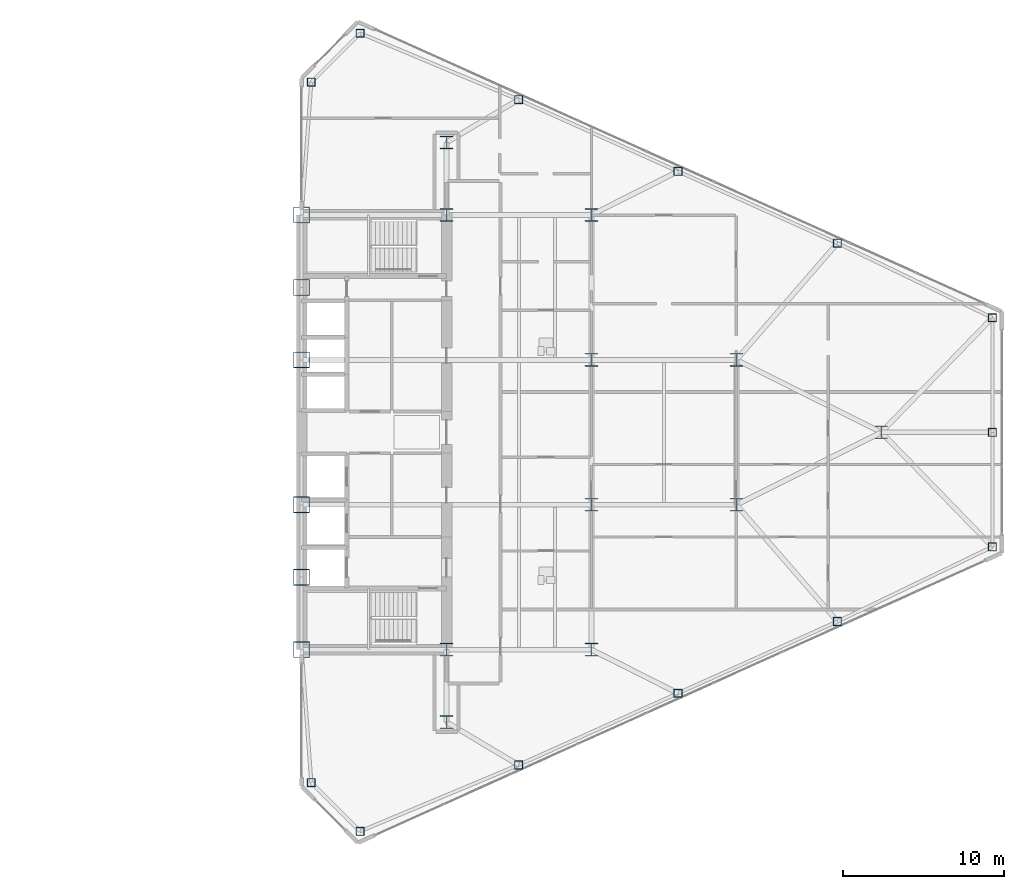
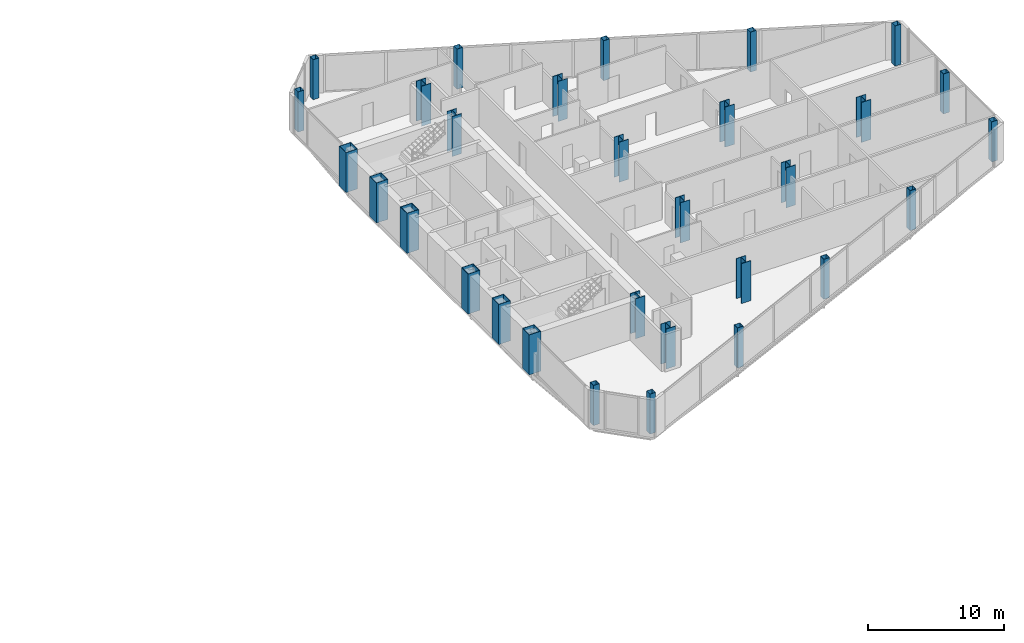
# One storey, part 2 of 27: 30 columns.
"""IFC4 building model written with IfcOpenShell, lengths in metres."""

import ifcopenshell
import ifcopenshell.guid

model = None  # the IFC model being written
_history = None  # IfcOwnerHistory: only IFC2X3 demands one
_inside = {}  # id of a spatial element -> (the spatial element, [elements in it])
_under = {}  # id of a project, library or spatial element -> (it, [spatial elements below it])
_declared = {}  # id of a project -> (the project, [libraries it declares])
_typed = {}  # id of a type object -> (the type object, [elements of that type])
_made_of = {}  # id of a material, layer set ... -> (it, [elements and type objects made of it])


def new_model(schema):
    """Start an empty IFC model of exactly this schema.

    Asked for "IFC4X3", IfcOpenShell would pick the latest addendum, in which some entities
    have other attributes; the version numbers below select the first issue.
    IFC2X3 requires an IfcOwnerHistory on every rooted entity: one is made here for all.
    """
    global model, _history
    if schema == "IFC4X3":
        model = ifcopenshell.file(schema_version=(4, 3, 0, 0))
    else:
        model = ifcopenshell.file(schema=schema)
    _inside.clear()
    _under.clear()
    _declared.clear()
    _typed.clear()
    _made_of.clear()
    _history = None
    if model.schema == "IFC2X3":
        org = make("IfcOrganization", Name="unknown")
        user = make(
            "IfcPersonAndOrganization",
            ThePerson=make("IfcPerson", FamilyName="unknown"),
            TheOrganization=org,
        )
        app = make(
            "IfcApplication",
            ApplicationDeveloper=org,
            Version="unknown",
            ApplicationFullName="unknown",
            ApplicationIdentifier="unknown",
        )
        _history = make(
            "IfcOwnerHistory",
            OwningUser=user,
            OwningApplication=app,
            ChangeAction="ADDED",
            CreationDate=0,
        )
    return model


def make(cls, **values):
    """One entity of the class cls with the attributes given. An attribute that is None is left unset."""
    return model.create_entity(
        cls, **{name: value for name, value in values.items() if value is not None}
    )


def rooted(cls, **values):
    """An entity with a GlobalId (a new one), such as an element, a storey or a relation."""
    return make(cls, GlobalId=ifcopenshell.guid.new(), OwnerHistory=_history, **values)


def si_unit(unit_type, name, prefix=None):
    """IfcSIUnit, for example si_unit("LENGTHUNIT", "METRE", prefix="MILLI")."""
    return make("IfcSIUnit", UnitType=unit_type, Prefix=prefix, Name=name)


def assignment(units):
    """IfcUnitAssignment: the units of a project."""
    return None if units is None else make("IfcUnitAssignment", Units=units)


def point(xyz):
    """IfcCartesianPoint."""
    return None if xyz is None else make("IfcCartesianPoint", Coordinates=xyz)


def direction(xyz):
    """IfcDirection."""
    return None if xyz is None else make("IfcDirection", DirectionRatios=xyz)


def frame(location, z_axis=None, x_axis=None):
    """IfcAxis2Placement3D, a coordinate frame: its origin and axes. An axis left out is left unset."""
    return make(
        "IfcAxis2Placement3D",
        Location=point(location),
        Axis=direction(z_axis),
        RefDirection=direction(x_axis),
    )


def frame_2d(location, x_axis=None):
    """IfcAxis2Placement2D, a coordinate frame in the plane: its origin and x axis."""
    return make(
        "IfcAxis2Placement2D", Location=point(location), RefDirection=direction(x_axis)
    )


def origin():
    """The frame at (0, 0, 0) with its axes left unset."""
    return frame((0.0, 0.0, 0.0))


def origin_2d():
    """The frame at (0, 0) in the plane with its x axis left unset."""
    return frame_2d((0.0, 0.0))


def place(relative_to, where):
    """IfcLocalPlacement: puts the frame where relative to a parent placement (None: the world)."""
    return make(
        "IfcLocalPlacement", PlacementRelTo=relative_to, RelativePlacement=where
    )


def context(
    kind, dimensions, precision=None, world=None, true_north=None, identifier=None
):
    """IfcGeometricRepresentationContext, for example the 3D "Model" context."""
    return make(
        "IfcGeometricRepresentationContext",
        ContextIdentifier=identifier,
        ContextType=kind,
        CoordinateSpaceDimension=dimensions,
        Precision=precision,
        WorldCoordinateSystem=world,
        TrueNorth=true_north,
    )


def subcontext(parent, identifier, kind, view, scale=None):
    """IfcGeometricRepresentationSubContext, for example "Body" below "Model"."""
    return make(
        "IfcGeometricRepresentationSubContext",
        ContextIdentifier=identifier,
        ContextType=kind,
        ParentContext=parent,
        TargetScale=scale,
        TargetView=view,
    )


def project(units=None, contexts=None):
    """IfcProject with its units and contexts."""
    return rooted(
        "IfcProject",
        Name="project",
        RepresentationContexts=contexts,
        UnitsInContext=assignment(units),
    )


def spatial(cls, under=None, at=None, **own):
    """A site, building, storey or space (cls), placed at a placement, below another one or the project."""
    s = rooted(cls, ObjectPlacement=at, **own)
    if under is not None:
        _under.setdefault(under.id(), (under, []))[1].append(s)
    return s


def profile(cls, at=None, kind="AREA", **sizes):
    """A parametric profile (cls). Its sizes go by their IFC names, for example OverallWidth=200.0."""
    return make(cls, ProfileType=kind, Position=at, **sizes)


def hollow_rectangle(**sizes):
    """IfcRectangleHollowProfileDef."""
    return profile("IfcRectangleHollowProfileDef", **sizes)


def i_section(**sizes):
    """IfcIShapeProfileDef."""
    return profile("IfcIShapeProfileDef", **sizes)


def extrude(swept, where, along, depth):
    """IfcExtrudedAreaSolid: the profile swept, set in the frame where, extruded along a direction by depth."""
    return make(
        "IfcExtrudedAreaSolid",
        SweptArea=swept,
        Position=where,
        ExtrudedDirection=direction(along),
        Depth=depth,
    )


def shape(context_of_items, identifier, shape_type, items):
    """IfcShapeRepresentation: the items that make up one representation, for example the "Body"."""
    return make(
        "IfcShapeRepresentation",
        ContextOfItems=context_of_items,
        RepresentationIdentifier=identifier,
        RepresentationType=shape_type,
        Items=items,
    )


def source(mapping_origin, context_of_items, identifier, shape_type, items):
    """IfcRepresentationMap: a shape defined once, which mapped items show again and again."""
    return make(
        "IfcRepresentationMap",
        MappingOrigin=mapping_origin,
        MappedRepresentation=shape(context_of_items, identifier, shape_type, items),
    )


def transform(
    local_origin,
    x_axis=None,
    y_axis=None,
    z_axis=None,
    scale=None,
    scale2=None,
    scale3=None,
    uniform=True,
):
    """IfcCartesianTransformationOperator3D, or its non-uniform kind. x_axis, y_axis, z_axis: its Axis1, 2, 3."""
    if uniform:
        return make(
            "IfcCartesianTransformationOperator3D",
            Axis1=direction(x_axis),
            Axis2=direction(y_axis),
            LocalOrigin=point(local_origin),
            Scale=scale,
            Axis3=direction(z_axis),
        )
    return make(
        "IfcCartesianTransformationOperator3DnonUniform",
        Axis1=direction(x_axis),
        Axis2=direction(y_axis),
        LocalOrigin=point(local_origin),
        Scale=scale,
        Axis3=direction(z_axis),
        Scale2=scale2,
        Scale3=scale3,
    )


def mapped(mapping_source, mapping_target):
    """IfcMappedItem: shows the shape of a source again, moved by a transform."""
    return make(
        "IfcMappedItem", MappingSource=mapping_source, MappingTarget=mapping_target
    )


def material(Name=None, Category=None):
    """IfcMaterial."""
    return make("IfcMaterial", Name=Name, Category=Category)


def material_profile(
    of_material, cross_section, Name=None, Category=None, Priority=None
):
    """IfcMaterialProfile: a cross section and its material."""
    return make(
        "IfcMaterialProfile",
        Name=Name,
        Material=of_material,
        Profile=cross_section,
        Priority=Priority,
        Category=Category,
    )


def profile_set(profiles, Name=None, composite=None):
    """IfcMaterialProfileSet."""
    return make(
        "IfcMaterialProfileSet",
        Name=Name,
        MaterialProfiles=profiles,
        CompositeProfile=composite,
    )


def made_of(thing, what):
    """Note that an element or type object is made of a material, layer set ...; save() writes the relation."""
    if what is not None:
        _made_of.setdefault(what.id(), (what, []))[1].append(thing)
    return thing


def type_object(cls, material=None, **own):
    """A type object (cls), such as IfcWallType, which elements share."""
    return made_of(rooted(cls, **own), material)


def type_shapes(of_type, sources):
    """Give a type object the sources (RepresentationMaps) that its elements show as mapped items."""
    of_type.RepresentationMaps = sources


def element(
    cls,
    number,
    at=None,
    inside=None,
    cuts=None,
    type_object=None,
    material=None,
    context=None,
    identifier="Body",
    shape_type=None,
    held_by="IfcProductDefinitionShape",
    body=None,
    shapes=None,
    **own,
):
    """One element of the class cls, such as IfcWall. Its Tag is "e" and its number.

    at: its placement. inside: the storey or other place that contains it. cuts: it is an
    opening in that element (IfcRelVoidsElement). A single representation is given by context,
    identifier, shape_type and body (its items); several are given by shapes. held_by: the class
    of the entity that holds the representations. save() writes the other relations.
    """
    e = rooted(cls, Tag="e%d" % number, ObjectPlacement=at, **own)
    if body is not None:
        shapes = [shape(context, identifier, shape_type, body)]
    if shapes is not None:
        e.Representation = make(held_by, Representations=shapes)
    if inside is not None:
        _inside.setdefault(inside.id(), (inside, []))[1].append(e)
    if cuts is not None:
        rooted(
            "IfcRelVoidsElement", RelatingBuildingElement=cuts, RelatedOpeningElement=e
        )
    if type_object is not None:
        _typed.setdefault(type_object.id(), (type_object, []))[1].append(e)
    return made_of(e, material)


def aggregate(whole, parts):
    """IfcRelAggregates: a whole, such as a stair, and the parts it consists of."""
    return rooted("IfcRelAggregates", RelatingObject=whole, RelatedObjects=parts)


def save(model, path):
    """Write the relations noted so far, then the file.

    IfcRelAggregates (storeys below a building ...), IfcRelContainedInSpatialStructure (elements
    in a storey), IfcRelDefinesByType, IfcRelAssociatesMaterial and IfcRelDeclares: one each for
    every whole, place, type object, material and project.
    """
    for whole, parts in _under.values():
        aggregate(whole, parts)
    for where, things in _inside.values():
        rooted(
            "IfcRelContainedInSpatialStructure",
            RelatedElements=things,
            RelatingStructure=where,
        )
    for kind, things in _typed.values():
        rooted("IfcRelDefinesByType", RelatedObjects=things, RelatingType=kind)
    for what, things in _made_of.values():
        rooted("IfcRelAssociatesMaterial", RelatedObjects=things, RelatingMaterial=what)
    for by, libraries in _declared.values():
        rooted("IfcRelDeclares", RelatingContext=by, RelatedDefinitions=libraries)
    model.write(path)


model = new_model("IFC4")

# Units and contexts
model_context = context("Model", 3, precision=1e-05, world=origin(), true_north=direction((0.0, 1.0)))
body_context = subcontext(model_context, "Body", "Model", "MODEL_VIEW")
ifc_project = project(units=[si_unit("LENGTHUNIT", "METRE"), si_unit("AREAUNIT", "SQUARE_METRE"), si_unit("VOLUMEUNIT", "CUBIC_METRE"), si_unit("PLANEANGLEUNIT", "RADIAN"), si_unit("MASSUNIT", "GRAM", prefix="KILO")], contexts=[model_context])

# Site, building, storey
site_placement = place(None, origin())
site = spatial("IfcSite", under=ifc_project, at=site_placement, CompositionType="ELEMENT")
building_placement = place(site_placement, origin())
building = spatial("IfcBuilding", under=site, at=building_placement, Name="Seokmaru Belvedere", CompositionType="ELEMENT")
storey_placement = place(building_placement, frame((0.0, 0.0, 106.800048828125)))
storey = spatial("IfcBuildingStorey", under=building, at=storey_placement, Name="L28", CompositionType="ELEMENT", Elevation=106.800048828125)

# Columns
ifc_material_1 = material(Name="Steel SM355 (355 MPa)", Category="steel")
ifc_material_profile_1 = material_profile(ifc_material_1, hollow_rectangle(XDim=0.5, YDim=0.5, WallThickness=0.02001953125, at=origin_2d()), Name="HSS-500x500x20")
ifc_profile_set_1 = profile_set([ifc_material_profile_1], Name="Steel SM355 (355 MPa)")
column_type_1 = type_object("IfcColumnType", Name="Perimeter Facet Column HSS-500", PredefinedType="COLUMN", material=ifc_profile_set_1)
shared_shape_1 = source(origin(), body_context, "Body", "SweptSolid", [
    extrude(hollow_rectangle(XDim=0.5, YDim=0.5, WallThickness=0.02001953125, at=origin_2d()), origin(), (0.0, 0.0, 1.0), 3.599853515625),
])
type_shapes(column_type_1, [shared_shape_1])
for number, where, z_axis, x_axis, name in (
    (1, (31.13134765625, -24.782958984375, 0.0), (0.0, 0.0, 1.0), (1.0, 0.0, 0.0), "L28 Column EF1"),
    (2, (70.39990234375, -7.112060546875, 0.0), (0.0, 0.0, 1.0), (1.0, 0.0, 0.0), "L28 Column EF2"),
    (3, (70.39990234375, 7.112060546875, 0.0), (0.0, 0.0, 1.0), (1.0, 0.0, 0.0), "L28 Column EF3"),
    (4, (31.13134765625, 24.782958984375, 0.0), (0.0, 0.0, 1.0), (1.0, 0.0, 0.0), "L28 Column EF4"),
    (5, (28.10009765625, 21.75146484375, 0.0), (0.0, 0.0, 1.0), (1.0, 0.0, 0.0), "L28 Column EF5"),
    (6, (28.10009765625, -21.75146484375, 0.0), (0.0, 0.0, 1.0), (1.0, 0.0, 0.0), "L28 Column EF6"),
    (7, (40.97265625, -20.661376953125, 0.0), (0.0, 0.0, 1.0), (1.0, 0.0, 0.0), "L28 Column EFLK_S1"),
    (8, (50.875, -16.205322265625, 0.0), (0.0, 0.0, 1.0), (1.0, 0.0, 0.0), "L28 Column EFLK_S2"),
    (9, (60.777587890625, -11.749267578125, 0.0), (0.0, 0.0, 1.0), (1.0, 0.0, 0.0), "L28 Column EFLK_S3"),
    (10, (40.97265625, 20.661376953125, 0.0), (0.0, 0.0, 1.0), (1.0, 0.0, 0.0), "L28 Column EFLK_N1"),
    (11, (50.875, 16.205322265625, 0.0), (0.0, 0.0, 1.0), (1.0, 0.0, 0.0), "L28 Column EFLK_N2"),
    (12, (60.777587890625, 11.749267578125, 0.0), (0.0, 0.0, 1.0), (1.0, 0.0, 0.0), "L28 Column EFLK_N3"),
    (13, (70.39990234375, 0.0, 0.0), (0.0, 0.0, 1.0), (1.0, 0.0, 0.0), "L28 Column EF_APXM"),
):
    element("IfcColumn", number, at=place(storey_placement, frame(where, z_axis=z_axis, x_axis=x_axis)), inside=storey, type_object=column_type_1, Name=name, PredefinedType="COLUMN", context=body_context, shape_type="MappedRepresentation", body=[
        mapped(shared_shape_1, transform((0.0, 0.0, 0.0), scale=1.0)),
    ])
ifc_material_2 = material(Name="Steel HSA650 (650 MPa)", Category="steel")
ifc_material_profile_2 = material_profile(ifc_material_2, hollow_rectangle(XDim=1.0, YDim=1.0, WallThickness=0.0419921875, at=origin_2d()), Name="BOX-1000x1000x42")
ifc_profile_set_2 = profile_set([ifc_material_profile_2], Name="Steel HSA650 (650 MPa)")
column_type_2 = type_object("IfcColumnType", Name="Portal Spine Column BOX-1000", PredefinedType="COLUMN", material=ifc_profile_set_2)
shared_shape_2 = source(origin(), body_context, "Body", "SweptSolid", [
    extrude(hollow_rectangle(XDim=1.0, YDim=1.0, WallThickness=0.0419921875, at=origin_2d()), origin(), (0.0, 0.0, 1.0), 3.599853515625),
])
type_shapes(column_type_2, [shared_shape_2])
for number, where, z_axis, x_axis, name in (
    (14, (27.5, -13.5, 0.0), (0.0, 0.0, 1.0), (1.0, 0.0, 0.0), "L28 Column ES1"),
    (15, (27.5, -9.0, 0.0), (0.0, 0.0, 1.0), (1.0, 0.0, 0.0), "L28 Column ES2"),
    (16, (27.5, -4.5, 0.0), (0.0, 0.0, 1.0), (1.0, 0.0, 0.0), "L28 Column ES3"),
    (17, (27.5, 4.5, 0.0), (0.0, 0.0, 1.0), (1.0, 0.0, 0.0), "L28 Column ES4"),
    (18, (27.5, 9.0, 0.0), (0.0, 0.0, 1.0), (1.0, 0.0, 0.0), "L28 Column ES5"),
    (19, (27.5, 13.5, 0.0), (0.0, 0.0, 1.0), (1.0, 0.0, 0.0), "L28 Column ES6"),
):
    element("IfcColumn", number, at=place(storey_placement, frame(where, z_axis=z_axis, x_axis=x_axis)), inside=storey, type_object=column_type_2, Name=name, PredefinedType="COLUMN", context=body_context, shape_type="MappedRepresentation", body=[
        mapped(shared_shape_2, transform((0.0, 0.0, 0.0), scale=1.0)),
    ])
ifc_material_profile_3 = material_profile(ifc_material_1, i_section(OverallWidth=0.800048828125, OverallDepth=0.800048828125, WebThickness=0.031982421875, FlangeThickness=0.050048828125, at=origin_2d()), Name="H-800x800x32x50")
ifc_profile_set_3 = profile_set([ifc_material_profile_3], Name="Steel SM355 (355 MPa)")
column_type_3 = type_object("IfcColumnType", Name="Lower-Mid Interior Column H-800", PredefinedType="COLUMN", material=ifc_profile_set_3)
shared_shape_3 = source(origin(), body_context, "Body", "SweptSolid", [
    extrude(i_section(OverallWidth=0.800048828125, OverallDepth=0.800048828125, WebThickness=0.031982421875, FlangeThickness=0.050048828125, at=origin_2d()), origin(), (0.0, 0.0, 1.0), 3.599853515625),
])
type_shapes(column_type_3, [shared_shape_3])
for number, where, z_axis, x_axis, name in (
    (20, (36.5, -18.0, 0.0), (0.0, 0.0, 1.0), (1.0, 0.0, 0.0), "L28 Column EC1"),
    (21, (36.5, -13.5, 0.0), (0.0, 0.0, 1.0), (1.0, 0.0, 0.0), "L28 Column EC2"),
    (22, (36.5, 13.5, 0.0), (0.0, 0.0, 1.0), (1.0, 0.0, 0.0), "L28 Column EC3"),
    (23, (36.5, 18.0, 0.0), (0.0, 0.0, 1.0), (1.0, 0.0, 0.0), "L28 Column EC4"),
    (24, (45.5, -13.5, 0.0), (0.0, 0.0, 1.0), (1.0, 0.0, 0.0), "L28 Column EG5_1"),
    (25, (45.5, -4.5, 0.0), (0.0, 0.0, 1.0), (1.0, 0.0, 0.0), "L28 Column EG5_2"),
    (26, (45.5, 4.5, 0.0), (0.0, 0.0, 1.0), (1.0, 0.0, 0.0), "L28 Column EG5_3"),
    (27, (45.5, 13.5, 0.0), (0.0, 0.0, 1.0), (1.0, 0.0, 0.0), "L28 Column EG5_4"),
    (28, (54.5, -4.5, 0.0), (0.0, 0.0, 1.0), (1.0, 0.0, 0.0), "L28 Column EG4P_1"),
    (29, (54.5, 4.5, 0.0), (0.0, 0.0, 1.0), (1.0, 0.0, 0.0), "L28 Column EG4P_2"),
    (30, (63.5, 0.0, 0.0), (0.0, 0.0, 1.0), (1.0, 0.0, 0.0), "L28 Column EG3P_1"),
):
    element("IfcColumn", number, at=place(storey_placement, frame(where, z_axis=z_axis, x_axis=x_axis)), inside=storey, type_object=column_type_3, Name=name, PredefinedType="COLUMN", context=body_context, shape_type="MappedRepresentation", body=[
        mapped(shared_shape_3, transform((0.0, 0.0, 0.0), scale=1.0)),
    ])

save(model, "model.ifc")
